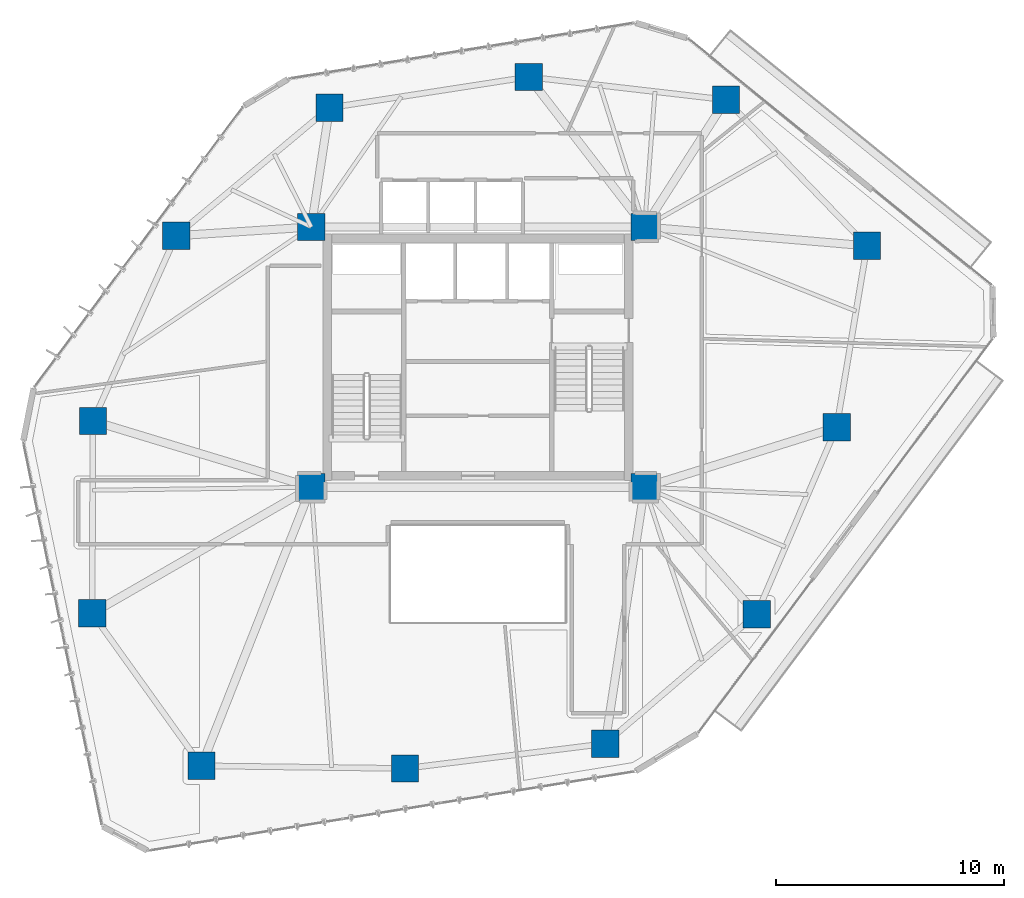
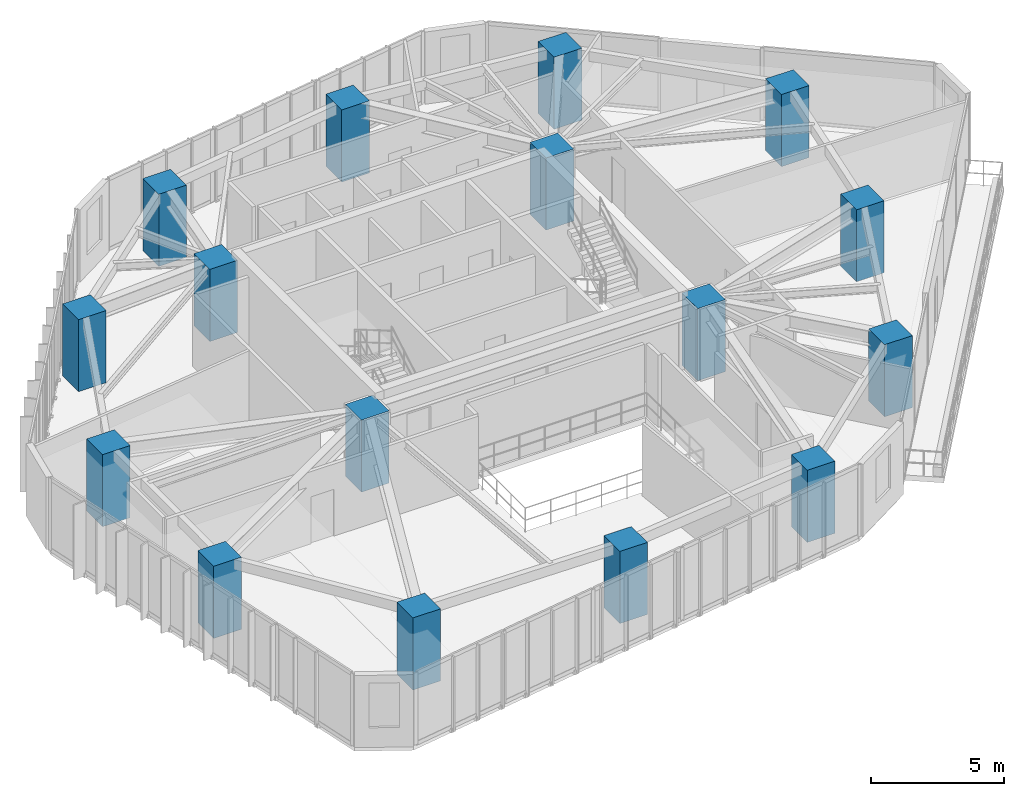
# One storey, part 1 of 23: 16 columns.
"""IFC4 building model written with IfcOpenShell, lengths in metres."""

from ifc_helpers import new_model, si_unit, direction, frame, origin, origin_2d, place, context, subcontext, project, spatial, rectangle, extrude, material, material_profile, profile_set, type_object, element, save


model = new_model("IFC4")

# Units and contexts
model_context = context("Model", 3, precision=1e-05, world=origin(), true_north=direction((0.0, 1.0)))
body_context = subcontext(model_context, "Body", "Model", "MODEL_VIEW")
ifc_project = project(units=[si_unit("LENGTHUNIT", "METRE"), si_unit("AREAUNIT", "SQUARE_METRE"), si_unit("VOLUMEUNIT", "CUBIC_METRE"), si_unit("PLANEANGLEUNIT", "RADIAN"), si_unit("MASSUNIT", "GRAM", prefix="KILO")], contexts=[model_context])

# Site, building, storey
site_placement = place(None, origin())
site = spatial("IfcSite", under=ifc_project, at=site_placement, CompositionType="ELEMENT")
building_placement = place(site_placement, origin())
building = spatial("IfcBuilding", under=site, at=building_placement, Name="Talar Marvaseh", CompositionType="ELEMENT")
storey_placement = place(building_placement, frame((0.0, 0.0, 118.199951171875)))
storey = spatial("IfcBuildingStorey", under=building, at=storey_placement, Name="L30", CompositionType="ELEMENT", Elevation=118.199951171875)

# Columns
ifc_material = material(Name="Concrete C60/75", Category="concrete")
ifc_material_profile = material_profile(ifc_material, rectangle(XDim=1.199951171875, YDim=1.199951171875, at=origin_2d()), Name="RC1200x1200")
ifc_profile_set = profile_set([ifc_material_profile], Name="Concrete C60/75")
column_type = type_object("IfcColumnType", Name="Zone 2 Tube Column RC1200x1200", PredefinedType="COLUMN", material=ifc_profile_set)
for number, where, z_axis, x_axis, name in (
    (1, (36.865966796875, 42.470947265625, 0.0), (0.0, 0.0, 1.0), (1.0, 0.0, 0.0), "L30 Zone 2 Tube Column RC1200x1200"),
    (2, (43.0439453125, 36.075927734375, 0.0), (0.0, 0.0, 1.0), (1.0, 0.0, 0.0), "L30 Zone 2 Tube Column RC1200x1200"),
    (3, (41.708984375, 28.1279296875, 0.0), (0.0, 0.0, 1.0), (1.0, 0.0, 0.0), "L30 Zone 2 Tube Column RC1200x1200"),
    (4, (38.2060546875, 19.94091796875, 0.0), (0.0, 0.0, 1.0), (1.0, 0.0, 0.0), "L30 Zone 2 Tube Column RC1200x1200"),
    (5, (31.570068359375, 14.26806640625, 0.0), (0.0, 0.0, 1.0), (1.0, 0.0, 0.0), "L30 Zone 2 Tube Column RC1200x1200"),
    (6, (22.804931640625, 13.18310546875, 0.0), (0.0, 0.0, 1.0), (1.0, 0.0, 0.0), "L30 Zone 2 Tube Column RC1200x1200"),
    (7, (13.89111328125, 13.299072265625, 0.0), (0.0, 0.0, 1.0), (1.0, 0.0, 0.0), "L30 Zone 2 Tube Column RC1200x1200"),
    (8, (9.10107421875, 19.97705078125, 0.0), (0.0, 0.0, 1.0), (1.0, 0.0, 0.0), "L30 Zone 2 Tube Column RC1200x1200"),
    (9, (9.137939453125, 28.402099609375, 0.0), (0.0, 0.0, 1.0), (1.0, 0.0, 0.0), "L30 Zone 2 Tube Column RC1200x1200"),
    (10, (12.780029296875, 36.51708984375, 0.0), (0.0, 0.0, 1.0), (1.0, 0.0, 0.0), "L30 Zone 2 Tube Column RC1200x1200"),
    (11, (19.5009765625, 42.123046875, 0.0), (0.0, 0.0, 1.0), (1.0, 0.0, 0.0), "L30 Zone 2 Tube Column RC1200x1200"),
    (12, (28.221923828125, 43.471923828125, 0.0), (0.0, 0.0, 1.0), (1.0, 0.0, 0.0), "L30 Zone 2 Tube Column RC1200x1200"),
    (13, (18.699951171875, 25.5, 0.0), (0.0, 0.0, 1.0), (1.0, 0.0, 0.0), "L30 Zone 2 Tube Column RC1200x1200"),
    (14, (33.300048828125, 25.5, 0.0), (0.0, 0.0, 1.0), (1.0, 0.0, 0.0), "L30 Zone 2 Tube Column RC1200x1200"),
    (15, (33.300048828125, 36.89990234375, 0.0), (0.0, 0.0, 1.0), (1.0, 0.0, 0.0), "L30 Zone 2 Tube Column RC1200x1200"),
    (16, (18.699951171875, 36.89990234375, 0.0), (0.0, 0.0, 1.0), (1.0, 0.0, 0.0), "L30 Zone 2 Tube Column RC1200x1200"),
):
    element("IfcColumn", number, at=place(storey_placement, frame(where, z_axis=z_axis, x_axis=x_axis)), inside=storey, type_object=column_type, Name=name, PredefinedType="COLUMN", context=body_context, shape_type="SweptSolid", body=[
        extrude(rectangle(XDim=1.199951171875, YDim=1.199951171875, at=origin_2d()), origin(), (0.0, 0.0, 1.0), 3.31005859375),
    ])

save(model, "model.ifc")
